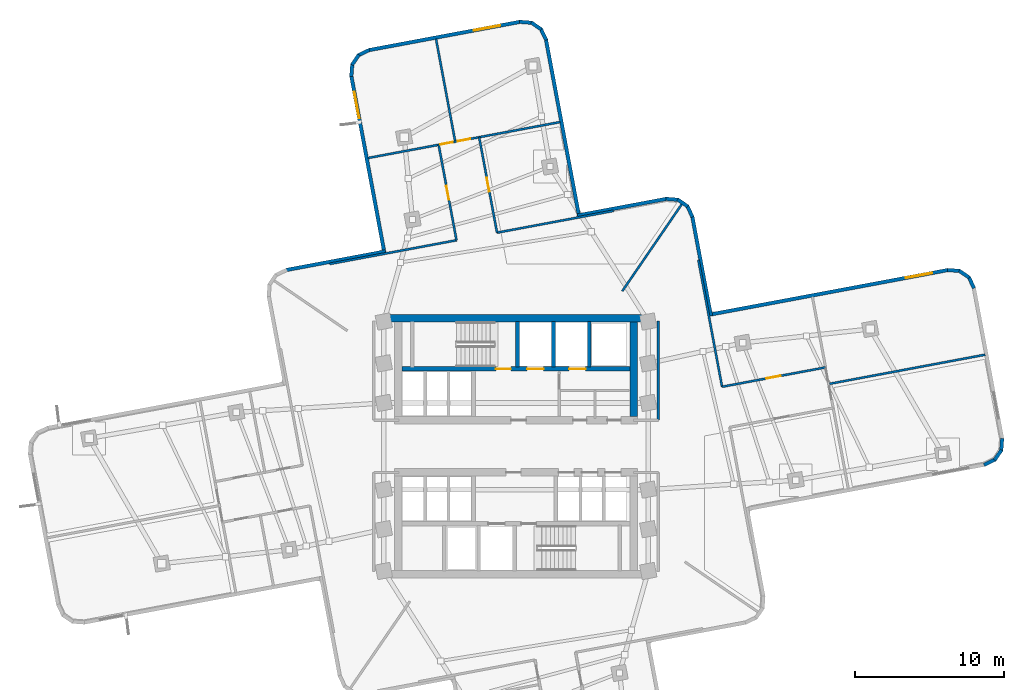
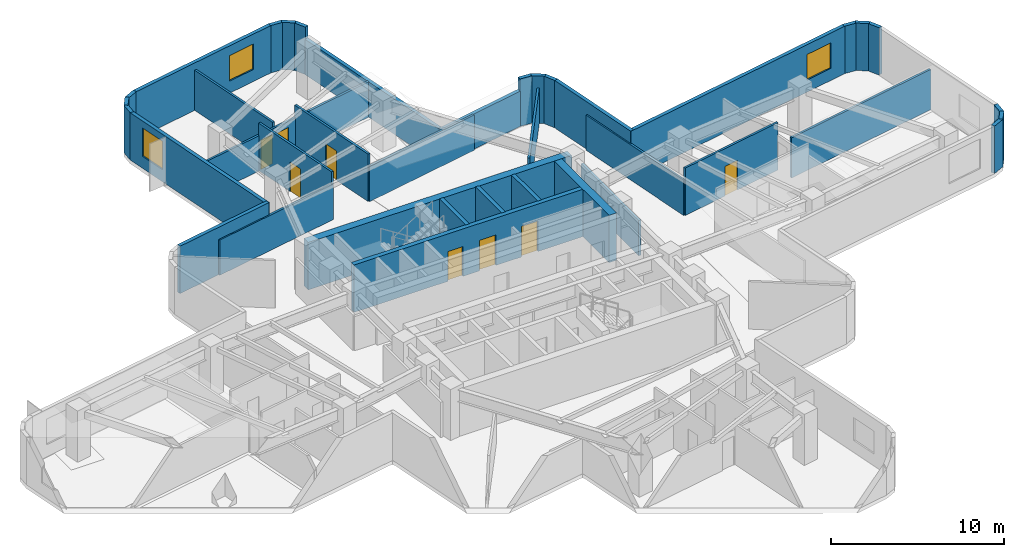
# One storey, part 5 of 9: 39 walls, 8 doors, 3 windows, 11 openings.
"""IFC4 building model written with IfcOpenShell, lengths in metres."""

from ifc_helpers import new_model, si_unit, direction, frame, frame_2d, origin, place, context, subcontext, project, spatial, rectangle, extrude, material, layer, layer_set, type_object, element, fill, save


model = new_model("IFC4")

# Units and contexts
model_context = context("Model", 3, precision=1e-05, world=origin(), true_north=direction((0.0, 1.0)))
body_context = subcontext(model_context, "Body", "Model", "MODEL_VIEW")
ifc_project = project(units=[si_unit("LENGTHUNIT", "METRE"), si_unit("AREAUNIT", "SQUARE_METRE"), si_unit("VOLUMEUNIT", "CUBIC_METRE"), si_unit("PLANEANGLEUNIT", "RADIAN"), si_unit("MASSUNIT", "GRAM", prefix="KILO")], contexts=[model_context])

# Site, building, storey
site_placement = place(None, origin())
site = spatial("IfcSite", under=ifc_project, at=site_placement, CompositionType="ELEMENT")
building_placement = place(site_placement, origin())
building = spatial("IfcBuilding", under=site, at=building_placement, Name="Solmarez Civic Tower", CompositionType="ELEMENT")
storey_placement = place(building_placement, frame((0.0, 0.0, 100.080078125)))
storey = spatial("IfcBuildingStorey", under=building, at=storey_placement, Name="L26", CompositionType="ELEMENT", Elevation=100.080078125)

# Walls
ifc_material_1 = material(Name="Concrete C60/75", Category="concrete")
ifc_layer_1 = layer(ifc_material_1, 0.5)
ifc_layer_set_1 = layer_set([ifc_layer_1], Name="Concrete C60/75")
wall_type_1 = type_object("IfcWallType", Name="WALL-CORE-500", PredefinedType="SHEAR", material=ifc_layer_set_1)
wall_1_placement = place(storey_placement, frame((-8.780029296875, 8.56005859375, 0.0), z_axis=(0.0, 0.0, 1.0), x_axis=(1.0, 0.0, 0.0)))
element("IfcWall", 1, at=wall_1_placement, inside=storey, type_object=wall_type_1, Name="L26 Split-Core Structural Wall NCW-N-L26", PredefinedType="SHEAR", context=body_context, shape_type="SweptSolid", body=[
    extrude(rectangle(XDim=17.56005859375, YDim=0.5, at=frame_2d((8.780029296875, 0.0))), origin(), (0.0, 0.0, 1.0), 3.33984375),
])
wall_2_placement = place(storey_placement, frame((7.8701171875, 8.31005859375, 0.0), z_axis=(0.0, 0.0, 1.0), x_axis=(0.0, -1.0, 0.0)))
element("IfcWall", 2, at=wall_2_placement, inside=storey, type_object=wall_type_1, Name="L26 Split-Core Structural Wall NCW-E-L26", PredefinedType="SHEAR", context=body_context, shape_type="SweptSolid", body=[
    extrude(rectangle(XDim=6.31005859375, YDim=0.5, at=frame_2d((3.155029296875, 0.0))), origin(), (0.0, 0.0, 1.0), 3.33984375),
])
ifc_material_2 = material(Name="Precast concrete C40/50", Category="concrete")
ifc_layer_2 = layer(ifc_material_2, 0.239990234375)
ifc_layer_set_2 = layer_set([ifc_layer_2], Name="Precast concrete C40/50")
wall_type_2 = type_object("IfcWallType", Name="WALL-EXT-240", PredefinedType="SOLIDWALL", material=ifc_layer_set_2)
wall_3_placement = place(storey_placement, frame((-15.39306640625, 11.799072265625, 0.0), z_axis=(0.0, 0.0, 1.0), x_axis=(0.982891759821, 0.184184115697, 0.0)))
element("IfcWall", 3, at=wall_3_placement, inside=storey, type_object=wall_type_2, Name="L26 Exterior Precast Wall 17", PredefinedType="SOLIDWALL", context=body_context, shape_type="SweptSolid", body=[
    extrude(rectangle(XDim=6.776123046875, YDim=0.239990234375, at=frame_2d((3.38818359375, 0.0))), origin(), (0.0, 0.0, 1.0), 3.33984375),
])

# Wall, opening, window
wall_4_placement = place(storey_placement, frame((-8.80908203125, 12.93505859375, 0.0), z_axis=(0.0, 0.0, 1.0), x_axis=(-0.184008977601, 0.982924562803, 0.0)))
wall_4 = element("IfcWall", 4, at=wall_4_placement, inside=storey, type_object=wall_type_2, Name="L26 Exterior Precast Wall 20", PredefinedType="SOLIDWALL", context=body_context, shape_type="SweptSolid", body=[
    extrude(rectangle(XDim=12.0751953125, YDim=0.239990234375, at=frame_2d((6.03759765625, 0.0))), origin(), (0.0, 0.0, 1.0), 3.33984375),
])
opening_1_placement = place(wall_4_placement, frame((9.175048828125, 0.0, 0.85009765625)))
opening_1 = element("IfcOpeningElement", 5, at=opening_1_placement, cuts=wall_4, Name="Opening W-04", PredefinedType="OPENING", context=body_context, shape_type="SweptSolid", body=[
    extrude(rectangle(XDim=1.800048828125, YDim=2.0, at=frame_2d((0.89990234375, 1.0))), frame((0.0, 0.1298828125, 0.0), z_axis=(0.0, -1.0, 0.0), x_axis=(1.0, 0.0, 0.0)), (0.0, 0.0, 1.0), 0.260009765625),
])
ifc_material_3 = material(Name="Solar Control Bronze-Tinted Insulating Glass", Category="glass")
window_type_1 = type_object("IfcWindowType", Name="WIN-1800X2000", PartitioningType="SINGLE_PANEL", PredefinedType="WINDOW", material=ifc_material_3)
window_1_placement = place(opening_1_placement, origin())
window_1 = element("IfcWindow", 6, at=window_1_placement, inside=storey, type_object=window_type_1, Name="L26 Exterior Facade Window 20", OverallHeight=2.0, OverallWidth=1.800048828125, PartitioningType="SINGLE_PANEL", PredefinedType="WINDOW", context=body_context, shape_type="SweptSolid", body=[
    extrude(rectangle(XDim=1.800048828125, YDim=2.0, at=frame_2d((0.89990234375, 1.0))), frame((0.0, 0.030029296875, 0.0), z_axis=(0.0, -1.0, 0.0), x_axis=(1.0, 0.0, 0.0)), (0.0, 0.0, 1.0), 0.06005859375),
])
fill(opening_1, window_1)

# Walls
wall_5_placement = place(storey_placement, frame((-11.028076171875, 24.75390625, 0.0), z_axis=(0.0, 0.0, 1.0), x_axis=(0.077011179273, 0.997030229365, 0.0)))
element("IfcWall", 7, at=wall_5_placement, inside=storey, type_object=wall_type_2, Name="L26 Exterior Precast Wall 21", PredefinedType="SOLIDWALL", context=body_context, shape_type="SweptSolid", body=[
    extrude(rectangle(XDim=0.83056640625, YDim=0.239990234375, at=frame_2d((0.415283203125, 0.0))), origin(), (0.0, 0.0, 1.0), 3.33984375),
])
wall_6_placement = place(storey_placement, frame((-10.97998046875, 25.535888671875, 0.0), z_axis=(0.0, 0.0, 1.0), x_axis=(0.563941688624, 0.825814611055, 0.0)))
element("IfcWall", 8, at=wall_6_placement, inside=storey, type_object=wall_type_2, Name="L26 Exterior Precast Wall 22", PredefinedType="SOLIDWALL", context=body_context, shape_type="SweptSolid", body=[
    extrude(rectangle(XDim=0.81396484375, YDim=0.239990234375, at=frame_2d((0.406982421875, 0.0))), origin(), (0.0, 0.0, 1.0), 3.33984375),
])
wall_7_placement = place(storey_placement, frame((-10.55810546875, 26.176025390625, 0.0), z_axis=(0.0, 0.0, 1.0), x_axis=(0.902044756706, 0.431642510533, 0.0)))
element("IfcWall", 9, at=wall_7_placement, inside=storey, type_object=wall_type_2, Name="L26 Exterior Precast Wall 23", PredefinedType="SOLIDWALL", context=body_context, shape_type="SweptSolid", body=[
    extrude(rectangle(XDim=0.83154296875, YDim=0.239990234375, at=frame_2d((0.415771484375, 0.0))), origin(), (0.0, 0.0, 1.0), 3.33984375),
])

# Wall, opening, window
wall_8_placement = place(storey_placement, frame((-9.85595703125, 26.51904296875, 0.0), z_axis=(0.0, 0.0, 1.0), x_axis=(0.982923037919, 0.184017122922, 0.0)))
wall_8 = element("IfcWall", 10, at=wall_8_placement, inside=storey, type_object=wall_type_2, Name="L26 Exterior Precast Wall 24", PredefinedType="SOLIDWALL", context=body_context, shape_type="SweptSolid", body=[
    extrude(rectangle(XDim=10.3193359375, YDim=0.239990234375, at=frame_2d((5.15966796875, 0.0))), origin(), (0.0, 0.0, 1.0), 3.33984375),
])
opening_2_placement = place(wall_8_placement, frame((7.14892578125, 0.0, 0.85009765625)))
opening_2 = element("IfcOpeningElement", 11, at=opening_2_placement, cuts=wall_8, Name="Opening W-08", PredefinedType="OPENING", context=body_context, shape_type="SweptSolid", body=[
    extrude(rectangle(XDim=1.800048828125, YDim=1.800048828125, at=frame_2d((0.89990234375, 0.89990234375))), frame((0.0, 0.1298828125, 0.0), z_axis=(0.0, -1.0, 0.0), x_axis=(1.0, 0.0, 0.0)), (0.0, 0.0, 1.0), 0.260009765625),
])
window_type_2 = type_object("IfcWindowType", Name="WIN-1800X1800", PartitioningType="SINGLE_PANEL", PredefinedType="WINDOW", material=ifc_material_3)
window_2_placement = place(opening_2_placement, origin())
window_2 = element("IfcWindow", 12, at=window_2_placement, inside=storey, type_object=window_type_2, Name="L26 Exterior Facade Window 24", OverallHeight=1.800048828125, OverallWidth=1.800048828125, PartitioningType="SINGLE_PANEL", PredefinedType="WINDOW", context=body_context, shape_type="SweptSolid", body=[
    extrude(rectangle(XDim=1.800048828125, YDim=1.800048828125, at=frame_2d((0.89990234375, 0.89990234375))), frame((0.0, 0.030029296875, 0.0), z_axis=(0.0, -1.0, 0.0), x_axis=(1.0, 0.0, 0.0)), (0.0, 0.0, 1.0), 0.06005859375),
])
fill(opening_2, window_2)

# Walls
wall_9_placement = place(storey_placement, frame((0.237060546875, 28.4150390625, 0.0), z_axis=(0.0, 0.0, 1.0), x_axis=(0.997028485347, -0.077033754987, 0.0)))
element("IfcWall", 13, at=wall_9_placement, inside=storey, type_object=wall_type_2, Name="L26 Exterior Precast Wall 25", PredefinedType="SOLIDWALL", context=body_context, shape_type="SweptSolid", body=[
    extrude(rectangle(XDim=0.830322265625, YDim=0.239990234375, at=frame_2d((0.4150390625, 0.0))), origin(), (0.0, 0.0, 1.0), 3.33984375),
])
wall_10_placement = place(storey_placement, frame((1.01904296875, 28.366943359375, 0.0), z_axis=(0.0, 0.0, 1.0), x_axis=(0.825719176392, -0.564081414105, 0.0)))
element("IfcWall", 14, at=wall_10_placement, inside=storey, type_object=wall_type_2, Name="L26 Exterior Precast Wall 26", PredefinedType="SOLIDWALL", context=body_context, shape_type="SweptSolid", body=[
    extrude(rectangle(XDim=0.813720703125, YDim=0.239990234375, at=frame_2d((0.40673828125, 0.0))), origin(), (0.0, 0.0, 1.0), 3.33984375),
])
wall_11_placement = place(storey_placement, frame((1.658935546875, 27.945068359375, 0.0), z_axis=(0.0, 0.0, 1.0), x_axis=(0.431881390908, -0.901930409836, 0.0)))
element("IfcWall", 15, at=wall_11_placement, inside=storey, type_object=wall_type_2, Name="L26 Exterior Precast Wall 27", PredefinedType="SOLIDWALL", context=body_context, shape_type="SweptSolid", body=[
    extrude(rectangle(XDim=0.83154296875, YDim=0.239990234375, at=frame_2d((0.415771484375, 0.0))), origin(), (0.0, 0.0, 1.0), 3.33984375),
])
wall_12_placement = place(storey_placement, frame((2.001953125, 27.242919921875, 0.0), z_axis=(0.0, 0.0, 1.0), x_axis=(0.184106644671, -0.982906273959, 0.0)))
element("IfcWall", 16, at=wall_12_placement, inside=storey, type_object=wall_type_2, Name="L26 Exterior Precast Wall 28", PredefinedType="SOLIDWALL", context=body_context, shape_type="SweptSolid", body=[
    extrude(rectangle(XDim=12.0751953125, YDim=0.239990234375, at=frame_2d((6.03759765625, 0.0))), origin(), (0.0, 0.0, 1.0), 2.48583984375),
])
wall_13_placement = place(storey_placement, frame((4.113037109375, 15.449951171875, 0.0), z_axis=(0.0, 0.0, 1.0), x_axis=(0.982913564854, 0.18406771587, 0.0)))
element("IfcWall", 17, at=wall_13_placement, inside=storey, type_object=wall_type_2, Name="L26 Exterior Precast Wall 31", PredefinedType="SOLIDWALL", context=body_context, shape_type="SweptSolid", body=[
    extrude(rectangle(XDim=6.07470703125, YDim=0.239990234375, at=frame_2d((3.037353515625, 0.0))), origin(), (0.0, 0.0, 1.0), 2.48583984375),
])
wall_14_placement = place(storey_placement, frame((10.033935546875, 16.56494140625, 0.0), z_axis=(0.0, 0.0, 1.0), x_axis=(0.997030229365, -0.077011179273, 0.0)))
element("IfcWall", 18, at=wall_14_placement, inside=storey, type_object=wall_type_2, Name="L26 Exterior Precast Wall 32", PredefinedType="SOLIDWALL", context=body_context, shape_type="SweptSolid", body=[
    extrude(rectangle(XDim=0.83056640625, YDim=0.239990234375, at=frame_2d((0.415283203125, 0.0))), origin(), (0.0, 0.0, 1.0), 3.33984375),
])
wall_15_placement = place(storey_placement, frame((10.81591796875, 16.51708984375, 0.0), z_axis=(0.0, 0.0, 1.0), x_axis=(0.825814611055, -0.563941688624, 0.0)))
element("IfcWall", 19, at=wall_15_placement, inside=storey, type_object=wall_type_2, Name="L26 Exterior Precast Wall 33", PredefinedType="SOLIDWALL", context=body_context, shape_type="SweptSolid", body=[
    extrude(rectangle(XDim=0.81396484375, YDim=0.239990234375, at=frame_2d((0.406982421875, 0.0))), origin(), (0.0, 0.0, 1.0), 3.33984375),
])
wall_16_placement = place(storey_placement, frame((11.4560546875, 16.094970703125, 0.0), z_axis=(0.0, 0.0, 1.0), x_axis=(0.431642510533, -0.902044756706, 0.0)))
element("IfcWall", 20, at=wall_16_placement, inside=storey, type_object=wall_type_2, Name="L26 Exterior Precast Wall 34", PredefinedType="SOLIDWALL", context=body_context, shape_type="SweptSolid", body=[
    extrude(rectangle(XDim=0.83154296875, YDim=0.239990234375, at=frame_2d((0.415771484375, 0.0))), origin(), (0.0, 0.0, 1.0), 3.33984375),
])
wall_17_placement = place(storey_placement, frame((11.799072265625, 15.39306640625, 0.0), z_axis=(0.0, 0.0, 1.0), x_axis=(0.184184115697, -0.982891759821, 0.0)))
element("IfcWall", 21, at=wall_17_placement, inside=storey, type_object=wall_type_2, Name="L26 Exterior Precast Wall 35", PredefinedType="SOLIDWALL", context=body_context, shape_type="SweptSolid", body=[
    extrude(rectangle(XDim=6.776123046875, YDim=0.239990234375, at=frame_2d((3.38818359375, 0.0))), origin(), (0.0, 0.0, 1.0), 3.33984375),
])

# Wall, opening, window
wall_18_placement = place(storey_placement, frame((12.93505859375, 8.80908203125, 0.0), z_axis=(0.0, 0.0, 1.0), x_axis=(0.982922588066, 0.184019525782, 0.0)))
wall_18 = element("IfcWall", 22, at=wall_18_placement, inside=storey, type_object=wall_type_2, Name="L26 Exterior Precast Wall 38", PredefinedType="SOLIDWALL", context=body_context, shape_type="SweptSolid", body=[
    extrude(rectangle(XDim=16.274658203125, YDim=0.239990234375, at=frame_2d((8.13720703125, 0.0))), origin(), (0.0, 0.0, 1.0), 3.33984375),
])
opening_3_placement = place(wall_18_placement, frame((13.375, 0.0, 0.85009765625)))
opening_3 = element("IfcOpeningElement", 23, at=opening_3_placement, cuts=wall_18, Name="Opening W-08", PredefinedType="OPENING", context=body_context, shape_type="SweptSolid", body=[
    extrude(rectangle(XDim=1.800048828125, YDim=1.800048828125, at=frame_2d((0.89990234375, 0.89990234375))), frame((0.0, 0.1298828125, 0.0), z_axis=(0.0, -1.0, 0.0), x_axis=(1.0, 0.0, 0.0)), (0.0, 0.0, 1.0), 0.260009765625),
])
window_3_placement = place(opening_3_placement, origin())
window_3 = element("IfcWindow", 24, at=window_3_placement, inside=storey, type_object=window_type_2, Name="L26 Exterior Facade Window 38", OverallHeight=1.800048828125, OverallWidth=1.800048828125, PartitioningType="SINGLE_PANEL", PredefinedType="WINDOW", context=body_context, shape_type="SweptSolid", body=[
    extrude(rectangle(XDim=1.800048828125, YDim=1.800048828125, at=frame_2d((0.89990234375, 0.89990234375))), frame((0.0, 0.030029296875, 0.0), z_axis=(0.0, -1.0, 0.0), x_axis=(1.0, 0.0, 0.0)), (0.0, 0.0, 1.0), 0.06005859375),
])
fill(opening_3, window_3)

# Walls
wall_19_placement = place(storey_placement, frame((28.882080078125, 11.801025390625, 0.0), z_axis=(0.0, 0.0, 1.0), x_axis=(0.997028485347, -0.077033754987, 0.0)))
element("IfcWall", 25, at=wall_19_placement, inside=storey, type_object=wall_type_2, Name="L26 Exterior Precast Wall 39", PredefinedType="SOLIDWALL", context=body_context, shape_type="SweptSolid", body=[
    extrude(rectangle(XDim=0.830322265625, YDim=0.239990234375, at=frame_2d((0.4150390625, 0.0))), origin(), (0.0, 0.0, 1.0), 3.33984375),
])
wall_20_placement = place(storey_placement, frame((29.6640625, 11.7529296875, 0.0), z_axis=(0.0, 0.0, 1.0), x_axis=(0.825160141847, -0.564898876177, 0.0)))
element("IfcWall", 26, at=wall_20_placement, inside=storey, type_object=wall_type_2, Name="L26 Exterior Precast Wall 40", PredefinedType="SOLIDWALL", context=body_context, shape_type="SweptSolid", body=[
    extrude(rectangle(XDim=0.814208984375, YDim=0.239990234375, at=frame_2d((0.4072265625, 0.0))), origin(), (0.0, 0.0, 1.0), 3.33984375),
])
wall_21_placement = place(storey_placement, frame((30.303955078125, 11.330078125, 0.0), z_axis=(0.0, 0.0, 1.0), x_axis=(0.433294434868, -0.901252424525, 0.0)))
element("IfcWall", 27, at=wall_21_placement, inside=storey, type_object=wall_type_2, Name="L26 Exterior Precast Wall 41", PredefinedType="SOLIDWALL", context=body_context, shape_type="SweptSolid", body=[
    extrude(rectangle(XDim=0.8310546875, YDim=0.239990234375, at=frame_2d((0.41552734375, 0.0))), origin(), (0.0, 0.0, 1.0), 3.33984375),
])
wall_22_placement = place(storey_placement, frame((32.54296875, 0.535888671875, 0.0), z_axis=(0.0, 0.0, 1.0), x_axis=(-0.07586448817, -0.997118137151, 0.0)))
element("IfcWall", 28, at=wall_22_placement, inside=storey, type_object=wall_type_2, Name="L26 Exterior Precast Wall 43", PredefinedType="SOLIDWALL", context=body_context, shape_type="SweptSolid", body=[
    extrude(rectangle(XDim=0.830322265625, YDim=0.239990234375, at=frame_2d((0.4150390625, 0.0))), origin(), (0.0, 0.0, 1.0), 3.33984375),
])
wall_23_placement = place(storey_placement, frame((32.49609375, -0.24609375, 0.0), z_axis=(0.0, 0.0, 1.0), x_axis=(-0.56454433247, -0.825402748163, 0.0)))
element("IfcWall", 29, at=wall_23_placement, inside=storey, type_object=wall_type_2, Name="L26 Exterior Precast Wall 44", PredefinedType="SOLIDWALL", context=body_context, shape_type="SweptSolid", body=[
    extrude(rectangle(XDim=0.815185546875, YDim=0.239990234375, at=frame_2d((0.40771484375, 0.0))), origin(), (0.0, 0.0, 1.0), 3.33984375),
])
wall_24_placement = place(storey_placement, frame((32.072998046875, -0.886962890625, 0.0), z_axis=(0.0, 0.0, 1.0), x_axis=(-0.901930409836, -0.431881390908, 0.0)))
element("IfcWall", 30, at=wall_24_placement, inside=storey, type_object=wall_type_2, Name="L26 Exterior Precast Wall 45", PredefinedType="SOLIDWALL", context=body_context, shape_type="SweptSolid", body=[
    extrude(rectangle(XDim=0.83154296875, YDim=0.239990234375, at=frame_2d((0.415771484375, 0.0))), origin(), (0.0, 0.0, 1.0), 3.33984375),
])
ifc_material_4 = material(Name="Gypsum Board Acoustic Steel-Stud Partition", Category="steel")
ifc_layer_3 = layer(ifc_material_4, 0.14990234375)
ifc_layer_set_3 = layer_set([ifc_layer_3], Name="Gypsum Board Acoustic Steel-Stud Partition")
wall_type_3 = type_object("IfcWallType", Name="WALL-INT-FIRE-150", PredefinedType="PARTITIONING", material=ifc_layer_set_3)
wall_25_placement = place(storey_placement, frame((9.52001953125, 1.75, 0.0), z_axis=(0.0, 0.0, 1.0), x_axis=(0.0, 1.0, 0.0)))
element("IfcWall", 31, at=wall_25_placement, inside=storey, type_object=wall_type_3, Name="L26 Interior Partition CHW-L26-EN1", PredefinedType="PARTITIONING", context=body_context, shape_type="SweptSolid", body=[
    extrude(rectangle(XDim=6.6298828125, YDim=0.14990234375, at=frame_2d((3.31494140625, 0.0))), origin(), (0.0, 0.0, 1.0), 2.48583984375),
])
ifc_layer_4 = layer(ifc_material_4, 0.14501953125)
ifc_layer_set_4 = layer_set([ifc_layer_4], Name="Gypsum Board Acoustic Steel-Stud Partition")
wall_type_4 = type_object("IfcWallType", Name="WALL-INT-PART-150", PredefinedType="PARTITIONING", material=ifc_layer_set_4)
wall_26_placement = place(storey_placement, frame((7.10791015625, 10.3798828125, 0.0), z_axis=(0.0, 0.0, 1.0), x_axis=(0.564900413187, 0.825159089619, 0.0)))
element("IfcWall", 32, at=wall_26_placement, inside=storey, type_object=wall_type_4, Name="L26 Interior Partition PT-L26-QDIV-1", PredefinedType="PARTITIONING", context=body_context, shape_type="SweptSolid", body=[
    extrude(rectangle(XDim=7.073974609375, YDim=0.14501953125, at=frame_2d((3.537109375, 0.0))), origin(), (0.0, 0.0, 1.0), 2.48583984375),
])
wall_27_placement = place(storey_placement, frame((13.7939453125, 3.97509765625, 0.0), z_axis=(0.0, 0.0, 1.0), x_axis=(-0.183947683851, 0.982936035358, 0.0)))
element("IfcWall", 33, at=wall_27_placement, inside=storey, type_object=wall_type_4, Name="L26 Interior Partition PT-L26-E-EFL", PredefinedType="PARTITIONING", context=body_context, shape_type="SweptSolid", body=[
    extrude(rectangle(XDim=8.649658203125, YDim=0.14501953125, at=frame_2d((4.32470703125, 0.0))), origin(), (0.0, 0.0, 1.0), 2.48583984375),
])

# Wall, opening, door
wall_28_placement = place(storey_placement, frame((20.721923828125, 5.281982421875, 0.0), z_axis=(0.0, 0.0, 1.0), x_axis=(-0.982936027627, -0.183947725163, 0.0)))
wall_28 = element("IfcWall", 34, at=wall_28_placement, inside=storey, type_object=wall_type_4, Name="L26 Interior Partition PT-L26-E-SL", PredefinedType="PARTITIONING", context=body_context, shape_type="SweptSolid", body=[
    extrude(rectangle(XDim=7.05029296875, YDim=0.14501953125, at=frame_2d((3.525146484375, 0.0))), origin(), (0.0, 0.0, 1.0), 3.33984375),
])
opening_4_placement = place(wall_28_placement, frame((3.074951171875, 0.0, 0.0)))
opening_4 = element("IfcOpeningElement", 35, at=opening_4_placement, cuts=wall_28, Name="Opening D-10", PredefinedType="OPENING", context=body_context, shape_type="SweptSolid", body=[
    extrude(rectangle(XDim=0.949951171875, YDim=2.080078125, at=frame_2d((0.47509765625, 1.0400390625))), frame((0.0, 0.08251953125, 0.0), z_axis=(0.0, -1.0, 0.0), x_axis=(1.0, 0.0, 0.0)), (0.0, 0.0, 1.0), 0.1650390625),
])
ifc_material_5 = material(Name="Solid-Core Timber Ministry Office Door", Category="wood")
door_type_1 = type_object("IfcDoorType", Name="DOOR-INT-950", OperationType="NOTDEFINED", PredefinedType="DOOR", material=ifc_material_5)
door_1_placement = place(opening_4_placement, origin())
door_1 = element("IfcDoor", 36, at=door_1_placement, inside=storey, type_object=door_type_1, Name="L26 Tribunal Mediation Conference Room East Door", OperationType="SINGLE_SWING_LEFT", OverallHeight=2.080078125, OverallWidth=0.949951171875, PredefinedType="DOOR", context=body_context, shape_type="SweptSolid", body=[
    extrude(rectangle(XDim=0.949951171875, YDim=2.080078125, at=frame_2d((0.47509765625, 1.0400390625))), frame((0.0, 0.02490234375, 0.0), z_axis=(0.0, -1.0, 0.0), x_axis=(1.0, 0.0, 0.0)), (0.0, 0.0, 1.0), 0.050048828125),
])
fill(opening_4, door_1)

# Walls
wall_29_placement = place(storey_placement, frame((20.989013671875, 4.181884765625, 0.0), z_axis=(0.0, 0.0, 1.0), x_axis=(0.982930571593, 0.183976877429, 0.0)))
element("IfcWall", 37, at=wall_29_placement, inside=storey, type_object=wall_type_4, Name="L26 Interior Partition PT-L26-E-TM", PredefinedType="PARTITIONING", context=body_context, shape_type="SweptSolid", body=[
    extrude(rectangle(XDim=10.594970703125, YDim=0.14501953125, at=frame_2d((5.29736328125, 0.0))), origin(), (0.0, 0.0, 1.0), 2.83203125),
])
wall_30_placement = place(storey_placement, frame((-3.97509765625, 13.7939453125, 0.0), z_axis=(0.0, 0.0, 1.0), x_axis=(-0.982936035358, -0.183947683851, 0.0)))
element("IfcWall", 38, at=wall_30_placement, inside=storey, type_object=wall_type_4, Name="L26 Interior Partition PT-L26-N-EFL", PredefinedType="PARTITIONING", context=body_context, shape_type="SweptSolid", body=[
    extrude(rectangle(XDim=8.649658203125, YDim=0.14501953125, at=frame_2d((4.32470703125, 0.0))), origin(), (0.0, 0.0, 1.0), 2.48583984375),
])
wall_31_placement = place(storey_placement, frame((6.531982421875, 15.760986328125, 0.0), z_axis=(0.0, 0.0, 1.0), x_axis=(-0.98292290903, -0.184017811376, 0.0)))
element("IfcWall", 39, at=wall_31_placement, inside=storey, type_object=wall_type_4, Name="L26 Interior Partition PT-L26-N-EFR", PredefinedType="PARTITIONING", context=body_context, shape_type="SweptSolid", body=[
    extrude(rectangle(XDim=7.94970703125, YDim=0.14501953125, at=frame_2d((3.974853515625, 0.0))), origin(), (0.0, 0.0, 1.0), 2.48583984375),
])

# Wall, opening, door
wall_32_placement = place(storey_placement, frame((-5.180908203125, 20.180908203125, 0.0), z_axis=(0.0, 0.0, 1.0), x_axis=(0.183973297475, -0.982931241652, 0.0)))
wall_32 = element("IfcWall", 40, at=wall_32_placement, inside=storey, type_object=wall_type_4, Name="L26 Interior Partition PT-L26-N-SL", PredefinedType="PARTITIONING", context=body_context, shape_type="SweptSolid", body=[
    extrude(rectangle(XDim=6.499755859375, YDim=0.14501953125, at=frame_2d((3.25, 0.0))), origin(), (0.0, 0.0, 1.0), 3.33984375),
])
opening_5_placement = place(wall_32_placement, frame((2.800048828125, 0.0, 0.0)))
opening_5 = element("IfcOpeningElement", 41, at=opening_5_placement, cuts=wall_32, Name="Opening D-10", PredefinedType="OPENING", context=body_context, shape_type="SweptSolid", body=[
    extrude(rectangle(XDim=0.949951171875, YDim=2.080078125, at=frame_2d((0.47509765625, 1.0400390625))), frame((0.0, 0.08251953125, 0.0), z_axis=(0.0, -1.0, 0.0), x_axis=(1.0, 0.0, 0.0)), (0.0, 0.0, 1.0), 0.1650390625),
])
door_2_placement = place(opening_5_placement, origin())
door_2 = element("IfcDoor", 42, at=door_2_placement, inside=storey, type_object=door_type_1, Name="L26 Counsel Administration Office North Door", OperationType="SINGLE_SWING_LEFT", OverallHeight=2.080078125, OverallWidth=0.949951171875, PredefinedType="DOOR", context=body_context, shape_type="SweptSolid", body=[
    extrude(rectangle(XDim=0.949951171875, YDim=2.080078125, at=frame_2d((0.47509765625, 1.0400390625))), frame((0.0, 0.02490234375, 0.0), z_axis=(0.0, -1.0, 0.0), x_axis=(1.0, 0.0, 0.0)), (0.0, 0.0, 1.0), 0.050048828125),
])
fill(opening_5, door_2)

wall_33_placement = place(storey_placement, frame((-1.27197265625, 14.300048828125, 0.0), z_axis=(0.0, 0.0, 1.0), x_axis=(-0.184009586708, 0.982924448775, 0.0)))
wall_33 = element("IfcWall", 43, at=wall_33_placement, inside=storey, type_object=wall_type_4, Name="L26 Interior Partition PT-L26-N-SR", PredefinedType="PARTITIONING", context=body_context, shape_type="SweptSolid", body=[
    extrude(rectangle(XDim=6.5, YDim=0.14501953125, at=frame_2d((3.25, 0.0))), origin(), (0.0, 0.0, 1.0), 3.33984375),
])
opening_6_placement = place(wall_33_placement, frame((2.800048828125, 0.0, 0.0)))
opening_6 = element("IfcOpeningElement", 44, at=opening_6_placement, cuts=wall_33, Name="Opening D-10", PredefinedType="OPENING", context=body_context, shape_type="SweptSolid", body=[
    extrude(rectangle(XDim=0.949951171875, YDim=2.080078125, at=frame_2d((0.47509765625, 1.0400390625))), frame((0.0, 0.08251953125, 0.0), z_axis=(0.0, -1.0, 0.0), x_axis=(1.0, 0.0, 0.0)), (0.0, 0.0, 1.0), 0.1650390625),
])
door_3_placement = place(opening_6_placement, origin())
door_3 = element("IfcDoor", 45, at=door_3_placement, inside=storey, type_object=door_type_1, Name="L26 Public Reading Room North Door", OperationType="SINGLE_SWING_RIGHT", OverallHeight=2.080078125, OverallWidth=0.949951171875, PredefinedType="DOOR", context=body_context, shape_type="SweptSolid", body=[
    extrude(rectangle(XDim=0.949951171875, YDim=2.080078125, at=frame_2d((0.47509765625, 1.0400390625))), frame((0.0, 0.02490234375, 0.0), z_axis=(0.0, -1.0, 0.0), x_axis=(1.0, 0.0, 0.0)), (0.0, 0.0, 1.0), 0.050048828125),
])
fill(opening_6, door_3)

# Wall
wall_34_placement = place(storey_placement, frame((-4.0810546875, 20.447998046875, 0.0), z_axis=(0.0, 0.0, 1.0), x_axis=(-0.18384493789, 0.982955257787, 0.0)))
element("IfcWall", 46, at=wall_34_placement, inside=storey, type_object=wall_type_4, Name="L26 Interior Partition PT-L26-N-TM", PredefinedType="PARTITIONING", context=body_context, shape_type="SweptSolid", body=[
    extrude(rectangle(XDim=6.9453125, YDim=0.14501953125, at=frame_2d((3.47265625, 0.0))), origin(), (0.0, 0.0, 1.0), 2.83203125),
])

# Wall, openings, doors
wall_35_placement = place(storey_placement, frame((-9.9140625, 19.2958984375, 0.0), z_axis=(0.0, 0.0, 1.0), x_axis=(0.982932308489, 0.183967597498, 0.0)))
wall_35 = element("IfcWall", 47, at=wall_35_placement, inside=storey, type_object=wall_type_4, Name="L26 Interior Partition PT-L26-N-END", PredefinedType="PARTITIONING", context=body_context, shape_type="SweptSolid", body=[
    extrude(rectangle(XDim=13.09033203125, YDim=0.14501953125, at=frame_2d((6.545166015625, 0.0))), origin(), (0.0, 0.0, 1.0), 2.48583984375),
])
opening_7_placement = place(wall_35_placement, frame((6.114990234375, 0.0, 0.0)))
opening_7 = element("IfcOpeningElement", 48, at=opening_7_placement, cuts=wall_35, Name="Opening D-14", PredefinedType="OPENING", context=body_context, shape_type="SweptSolid", body=[
    extrude(rectangle(XDim=0.860107421875, YDim=2.0400390625, at=frame_2d((0.43017578125, 1.02001953125))), frame((0.0, 0.08251953125, 0.0), z_axis=(0.0, -1.0, 0.0), x_axis=(1.0, 0.0, 0.0)), (0.0, 0.0, 1.0), 0.1650390625),
])
opening_8_placement = place(wall_35_placement, frame((4.9150390625, 0.0, 0.0)))
opening_8 = element("IfcOpeningElement", 49, at=opening_8_placement, cuts=wall_35, Name="Opening D-14", PredefinedType="OPENING", context=body_context, shape_type="SweptSolid", body=[
    extrude(rectangle(XDim=0.860107421875, YDim=2.0400390625, at=frame_2d((0.43017578125, 1.02001953125))), frame((0.0, 0.08251953125, 0.0), z_axis=(0.0, -1.0, 0.0), x_axis=(1.0, 0.0, 0.0)), (0.0, 0.0, 1.0), 0.1650390625),
])
ifc_material_6 = material(Name="Timber Storage and Pantry Door", Category="wood")
door_type_2 = type_object("IfcDoorType", Name="DOOR-INT-850", OperationType="NOTDEFINED", PredefinedType="DOOR", material=ifc_material_6)
door_4_placement = place(opening_7_placement, origin())
door_4 = element("IfcDoor", 50, at=door_4_placement, inside=storey, type_object=door_type_2, Name="L26 Tribunal Mediation Conference Room Sixth North Door", OperationType="SINGLE_SWING_RIGHT", OverallHeight=2.0400390625, OverallWidth=0.860107421875, PredefinedType="DOOR", context=body_context, shape_type="SweptSolid", body=[
    extrude(rectangle(XDim=0.860107421875, YDim=2.0400390625, at=frame_2d((0.43017578125, 1.02001953125))), frame((0.0, 0.02490234375, 0.0), z_axis=(0.0, -1.0, 0.0), x_axis=(1.0, 0.0, 0.0)), (0.0, 0.0, 1.0), 0.050048828125),
])
fill(opening_7, door_4)
door_5_placement = place(opening_8_placement, origin())
door_5 = element("IfcDoor", 51, at=door_5_placement, inside=storey, type_object=door_type_2, Name="L26 Delegates Lounge Fifth North Door", OperationType="SINGLE_SWING_LEFT", OverallHeight=2.0400390625, OverallWidth=0.860107421875, PredefinedType="DOOR", context=body_context, shape_type="SweptSolid", body=[
    extrude(rectangle(XDim=0.860107421875, YDim=2.0400390625, at=frame_2d((0.43017578125, 1.02001953125))), frame((0.0, 0.02490234375, 0.0), z_axis=(0.0, -1.0, 0.0), x_axis=(1.0, 0.0, 0.0)), (0.0, 0.0, 1.0), 0.050048828125),
])
fill(opening_8, door_5)

ifc_material_7 = material(Name="Concrete C50/60", Category="concrete")
ifc_layer_5 = layer(ifc_material_7, 0.300048828125)
ifc_layer_set_5 = layer_set([ifc_layer_5], Name="Concrete C50/60")
wall_type_5 = type_object("IfcWallType", Name="WALL-STR-300", PredefinedType="SOLIDWALL", material=ifc_layer_set_5)
wall_36_placement = place(storey_placement, frame((7.6201171875, 5.179931640625, 0.0), z_axis=(0.0, 0.0, 1.0), x_axis=(-1.0, 0.0, 0.0)))
wall_36 = element("IfcWall", 52, at=wall_36_placement, inside=storey, type_object=wall_type_5, Name="L26 Split-Core Structural Wall NCW-M-L26", PredefinedType="SOLIDWALL", context=body_context, shape_type="SweptSolid", body=[
    extrude(rectangle(XDim=15.240234375, YDim=0.300048828125, at=frame_2d((7.6201171875, 0.0))), origin(), (0.0, 0.0, 1.0), 3.33984375),
])
opening_9_placement = place(wall_36_placement, frame((5.77001953125, 0.0, 0.0)))
opening_9 = element("IfcOpeningElement", 53, at=opening_9_placement, cuts=wall_36, Name="Opening LD-02", PredefinedType="OPENING", context=body_context, shape_type="SweptSolid", body=[
    extrude(rectangle(XDim=1.10009765625, YDim=2.14990234375, at=frame_2d((0.550048828125, 1.074951171875))), frame((0.0, 0.159912109375, 0.0), z_axis=(0.0, -1.0, 0.0), x_axis=(1.0, 0.0, 0.0)), (0.0, 0.0, 1.0), 0.320068359375),
])
opening_10_placement = place(wall_36_placement, frame((2.969970703125, 0.0, 0.0)))
opening_10 = element("IfcOpeningElement", 54, at=opening_10_placement, cuts=wall_36, Name="Opening LD-03", PredefinedType="OPENING", context=body_context, shape_type="SweptSolid", body=[
    extrude(rectangle(XDim=1.10009765625, YDim=2.14990234375, at=frame_2d((0.550048828125, 1.074951171875))), frame((0.0, 0.159912109375, 0.0), z_axis=(0.0, -1.0, 0.0), x_axis=(1.0, 0.0, 0.0)), (0.0, 0.0, 1.0), 0.320068359375),
])
opening_11_placement = place(wall_36_placement, frame((7.969970703125, 0.0, 0.0)))
opening_11 = element("IfcOpeningElement", 55, at=opening_11_placement, cuts=wall_36, Name="Opening D-05", PredefinedType="OPENING", context=body_context, shape_type="SweptSolid", body=[
    extrude(rectangle(XDim=1.0, YDim=2.10009765625, at=frame_2d((0.5, 1.050048828125))), frame((0.0, 0.159912109375, 0.0), z_axis=(0.0, -1.0, 0.0), x_axis=(1.0, 0.0, 0.0)), (0.0, 0.0, 1.0), 0.320068359375),
])
ifc_material_8 = material(Name="Fire-Rated Stairwell Exit Door", Category="wood")
door_type_3 = type_object("IfcDoorType", Name="DOOR-FD90-1000", OperationType="NOTDEFINED", PredefinedType="DOOR", material=ifc_material_8)
door_6_placement = place(opening_11_placement, origin())
door_6 = element("IfcDoor", 56, at=door_6_placement, inside=storey, type_object=door_type_3, Name="L26 North Exit Stair Door ST-1", OperationType="SINGLE_SWING_LEFT", OverallHeight=2.10009765625, OverallWidth=1.0, PredefinedType="DOOR", context=body_context, shape_type="SweptSolid", body=[
    extrude(rectangle(XDim=1.0, YDim=2.10009765625, at=frame_2d((0.5, 1.050048828125))), frame((0.0, 0.02490234375, 0.0), z_axis=(0.0, -1.0, 0.0), x_axis=(1.0, 0.0, 0.0)), (0.0, 0.0, 1.0), 0.050048828125),
])
fill(opening_11, door_6)
ifc_material_9 = material(Name="Stainless Firefighting Lift Landing Sliding Door", Category="aluminium")
door_type_4 = type_object("IfcDoorType", Name="DOOR-LD-FF-1100", OperationType="DOUBLE_DOOR_SLIDING", PredefinedType="DOOR", material=ifc_material_9)
door_7_placement = place(opening_9_placement, origin())
door_7 = element("IfcDoor", 57, at=door_7_placement, inside=storey, type_object=door_type_4, Name="L26 Firefighting Lift Landing Door FFL-1", OperationType="DOUBLE_DOOR_SLIDING", OverallHeight=2.14990234375, OverallWidth=1.10009765625, PredefinedType="DOOR", context=body_context, shape_type="SweptSolid", body=[
    extrude(rectangle(XDim=1.10009765625, YDim=2.14990234375, at=frame_2d((0.550048828125, 1.074951171875))), frame((0.0, 0.02490234375, 0.0), z_axis=(0.0, -1.0, 0.0), x_axis=(1.0, 0.0, 0.0)), (0.0, 0.0, 1.0), 0.050048828125),
])
fill(opening_9, door_7)
ifc_material_10 = material(Name="Stainless Stretcher Lift Landing Sliding Door", Category="aluminium")
door_type_5 = type_object("IfcDoorType", Name="DOOR-LD-SV-1100", OperationType="DOUBLE_DOOR_SLIDING", PredefinedType="DOOR", material=ifc_material_10)
door_8_placement = place(opening_10_placement, origin())
door_8 = element("IfcDoor", 58, at=door_8_placement, inside=storey, type_object=door_type_5, Name="L26 Service Stretcher Lift Landing Door SVL-1", OperationType="DOUBLE_DOOR_SLIDING", OverallHeight=2.14990234375, OverallWidth=1.10009765625, PredefinedType="DOOR", context=body_context, shape_type="SweptSolid", body=[
    extrude(rectangle(XDim=1.10009765625, YDim=2.14990234375, at=frame_2d((0.550048828125, 1.074951171875))), frame((0.0, 0.02490234375, 0.0), z_axis=(0.0, -1.0, 0.0), x_axis=(1.0, 0.0, 0.0)), (0.0, 0.0, 1.0), 0.050048828125),
])
fill(opening_10, door_8)

# Walls
for number, where, z_axis, x_axis, name in (
    (59, (0.10009765625, 5.300048828125, 0.0), (0.0, 0.0, 1.0), (0.0, 1.0, 0.0), "L26 Split-Core Structural Wall SHW-N1-L26"),
    (60, (2.5, 5.300048828125, 0.0), (0.0, 0.0, 1.0), (0.0, 1.0, 0.0), "L26 Split-Core Structural Wall SHW-N2-L26"),
    (61, (4.89990234375, 5.300048828125, 0.0), (0.0, 0.0, 1.0), (0.0, 1.0, 0.0), "L26 Split-Core Structural Wall SHW-N3-L26"),
):
    element("IfcWall", number, at=place(storey_placement, frame(where, z_axis=z_axis, x_axis=x_axis)), inside=storey, type_object=wall_type_5, Name=name, PredefinedType="SOLIDWALL", context=body_context, shape_type="SweptSolid", body=[
        extrude(rectangle(XDim=3.0400390625, YDim=0.25, at=frame_2d((1.52001953125, 0.0))), origin(), (0.0, 0.0, 1.0), 3.33984375),
    ])

save(model, "model.ifc")
